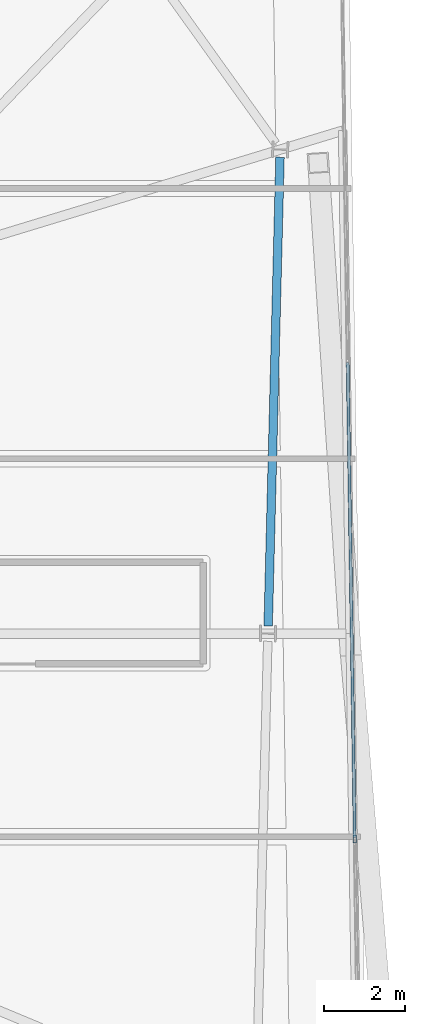
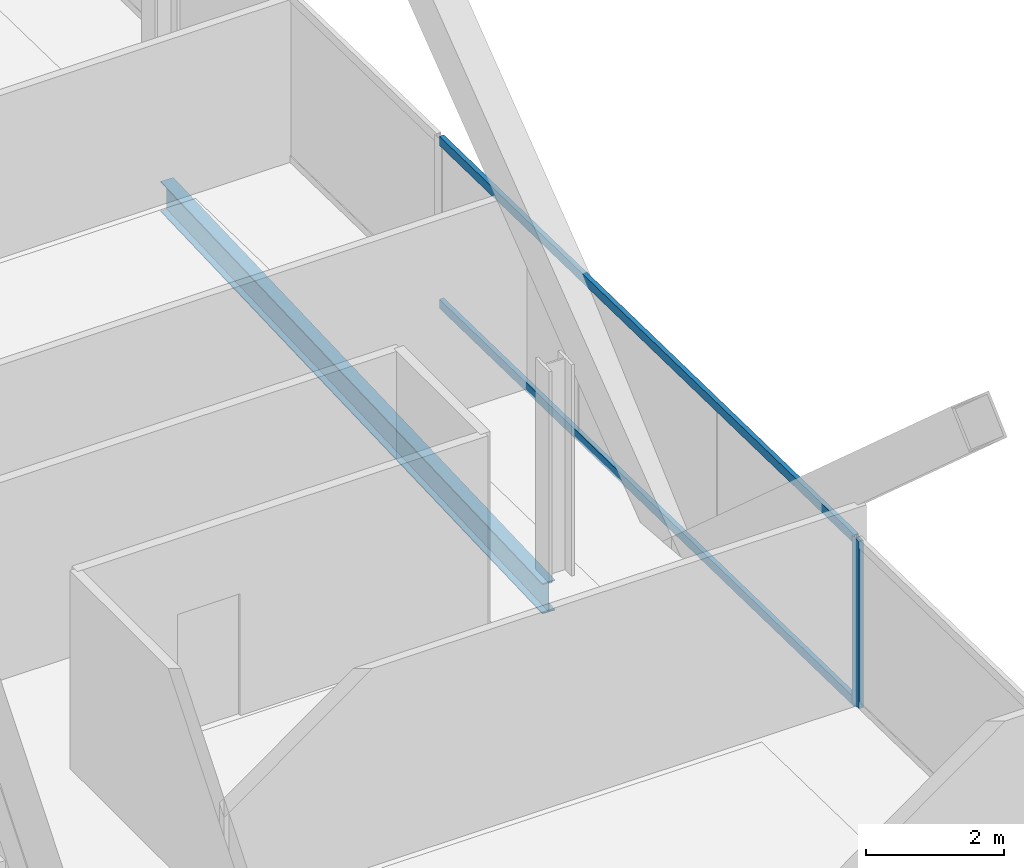
# One storey, part 12 of 25: 3 members, 1 beam, 1 element without a shape of its own.
"""IFC4 building model written with IfcOpenShell, lengths in metres."""

from ifc_helpers import new_model, si_unit, direction, frame, origin, origin_2d, place, context, subcontext, project, spatial, hollow_rectangle, i_section, extrude, material, material_profile, profile_set, type_object, element, aggregate, save


model = new_model("IFC4")

# Units and contexts
model_context = context("Model", 3, precision=1e-05, world=origin(), true_north=direction((0.0, 1.0)))
body_context = subcontext(model_context, "Body", "Model", "MODEL_VIEW")
ifc_project = project(units=[si_unit("LENGTHUNIT", "METRE"), si_unit("AREAUNIT", "SQUARE_METRE"), si_unit("VOLUMEUNIT", "CUBIC_METRE"), si_unit("PLANEANGLEUNIT", "RADIAN"), si_unit("MASSUNIT", "GRAM", prefix="KILO")], contexts=[model_context])

# Site, building, storey
site_placement = place(None, origin())
site = spatial("IfcSite", under=ifc_project, at=site_placement, CompositionType="ELEMENT")
building_placement = place(site_placement, origin())
building = spatial("IfcBuilding", under=site, at=building_placement, Name="Haldenkirk Collegiate Tower", CompositionType="ELEMENT")
storey_placement = place(building_placement, frame((0.0, 0.0, 332.699951171875)))
storey = spatial("IfcBuildingStorey", under=building, at=storey_placement, Name="L84", CompositionType="ELEMENT", Elevation=332.699951171875)

# Beam
ifc_material_1 = material(Name="Steel ASTM A992 Grade 50", Category="steel")
ifc_material_profile_1 = material_profile(ifc_material_1, i_section(OverallWidth=0.2099609375, OverallDepth=0.537109375, WebThickness=0.010986328125, FlangeThickness=0.017333984375, at=origin_2d()), Name="W21X68")
ifc_profile_set_1 = profile_set([ifc_material_profile_1], Name="Steel ASTM A992 Grade 50")
beam_type = type_object("IfcBeamType", Name="BM-SPANDREL-W21X68", PredefinedType="SPANDREL", material=ifc_profile_set_1)
beam_placement = place(storey_placement, frame((55.8984375, 25.684326171875, -0.528564453125), z_axis=(0.025302458902, 0.999679841536, 0.0), x_axis=(-0.999679841536, 0.025302458902, 0.0)))
element("IfcBeam", 1, at=beam_placement, inside=storey, type_object=beam_type, Name="L84 perimeter spandrel beam 03", PredefinedType="SPANDREL", context=body_context, shape_type="SweptSolid", body=[
    extrude(i_section(OverallWidth=0.2099609375, OverallDepth=0.537109375, WebThickness=0.010986328125, FlangeThickness=0.017333984375, at=origin_2d()), origin(), (0.0, 0.0, 1.0), 11.5400390625),
])

# Curtain wall, members
ifc_material_2 = material(Name="Anodised architectural bronze aluminium", Category="aluminium")
curtain_wall_type = type_object("IfcCurtainWallType", Name="CW-SYS2-CONCAVE", PredefinedType="USERDEFINED", material=ifc_material_2)
curtain_wall_placement = place(storey_placement, origin())
curtain_wall = element("IfcCurtainWall", 2, at=curtain_wall_placement, inside=storey, type_object=curtain_wall_type, Name="L84 South concave recessed bronze-anodised curtain wall", ObjectType="UNITISED CURTAIN WALL", PredefinedType="USERDEFINED")
ifc_material_profile_2 = material_profile(ifc_material_2, hollow_rectangle(XDim=0.074951171875, YDim=0.18994140625, WallThickness=0.0048828125, at=origin_2d()), Name="CW-MUL-02")
ifc_profile_set_2 = profile_set([ifc_material_profile_2], Name="Anodised architectural bronze aluminium")
member_type_1 = type_object("IfcMemberType", Name="CW-MUL-02", PredefinedType="MULLION", material=ifc_profile_set_2)
member_1_placement = place(storey_placement, frame((58.02978515625, 20.44287109375, 0.0), z_axis=(0.0, 0.0, 1.0), x_axis=(0.99988998696, 0.014832868138, 0.0)))
member_1 = element("IfcMember", 3, at=member_1_placement, type_object=member_type_1, Name="CW-02 mullion 3", PredefinedType="MULLION", context=body_context, shape_type="SweptSolid", body=[
    extrude(hollow_rectangle(XDim=0.074951171875, YDim=0.18994140625, WallThickness=0.0048828125, at=origin_2d()), origin(), (0.0, 0.0, 1.0), 2.947998046875),
])
ifc_material_profile_3 = material_profile(ifc_material_2, hollow_rectangle(XDim=0.074951171875, YDim=0.159912109375, WallThickness=0.0048828125, at=origin_2d()), Name="CW-TRN-02")
ifc_profile_set_3 = profile_set([ifc_material_profile_3], Name="Anodised architectural bronze aluminium")
member_type_2 = type_object("IfcMemberType", Name="CW-TRN-02", PredefinedType="USERDEFINED", material=ifc_profile_set_3)
member_2_placement = place(storey_placement, frame((57.85595703125, 32.170654296875, 0.03759765625), z_axis=(0.014826179671, -0.999890086158, 0.0), x_axis=(0.999890086158, 0.014826179671, 0.0)))
member_2 = element("IfcMember", 4, at=member_2_placement, type_object=member_type_2, Name="CW-02 transom 2.1", ObjectType="TRANSOM", PredefinedType="USERDEFINED", context=body_context, shape_type="SweptSolid", body=[
    extrude(hollow_rectangle(XDim=0.074951171875, YDim=0.159912109375, WallThickness=0.0048828125, at=origin_2d()), origin(), (0.0, 0.0, 1.0), 11.69140625),
])
member_3_placement = place(storey_placement, frame((57.85595703125, 32.170654296875, 2.91064453125), z_axis=(0.014826179671, -0.999890086158, 0.0), x_axis=(0.999890086158, 0.014826179671, 0.0)))
member_3 = element("IfcMember", 5, at=member_3_placement, type_object=member_type_2, Name="CW-02 transom 2.2", ObjectType="TRANSOM", PredefinedType="USERDEFINED", context=body_context, shape_type="SweptSolid", body=[
    extrude(hollow_rectangle(XDim=0.074951171875, YDim=0.159912109375, WallThickness=0.0048828125, at=origin_2d()), origin(), (0.0, 0.0, 1.0), 11.69140625),
])
aggregate(curtain_wall, [member_1, member_2, member_3])

save(model, "model.ifc")
